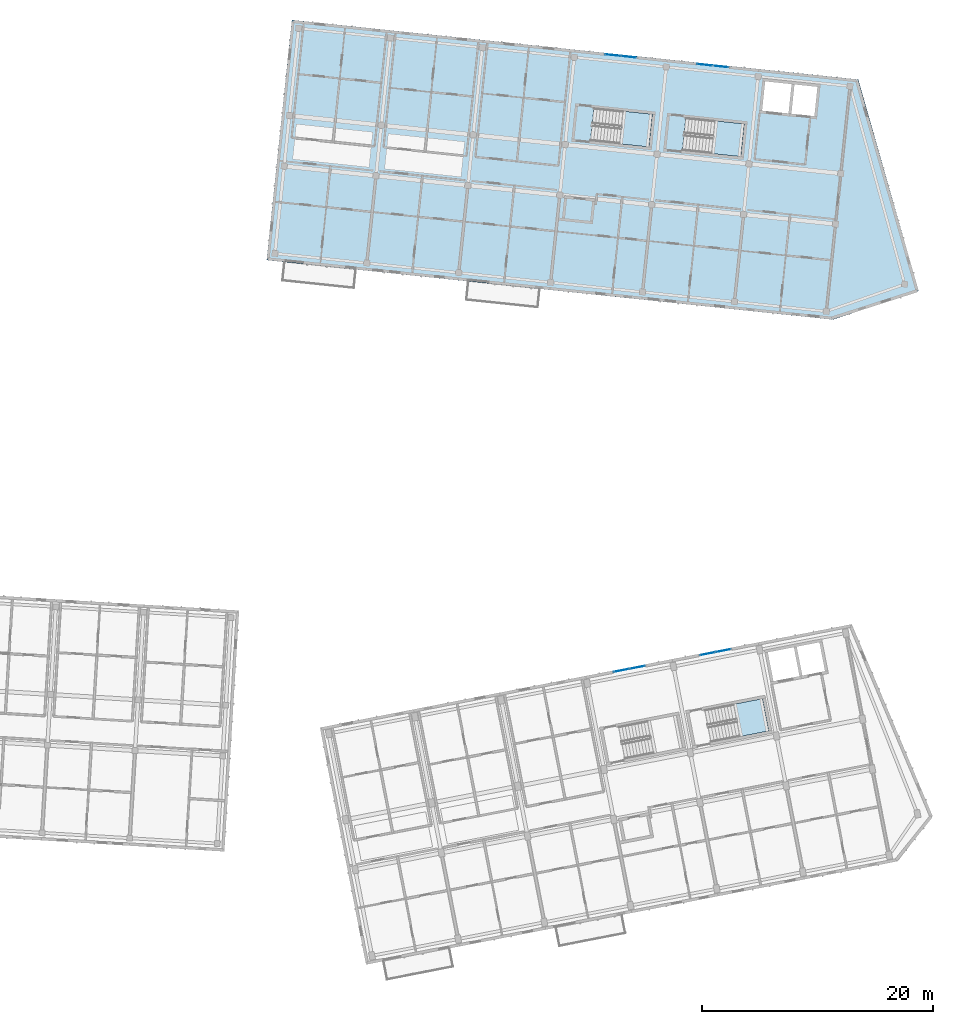
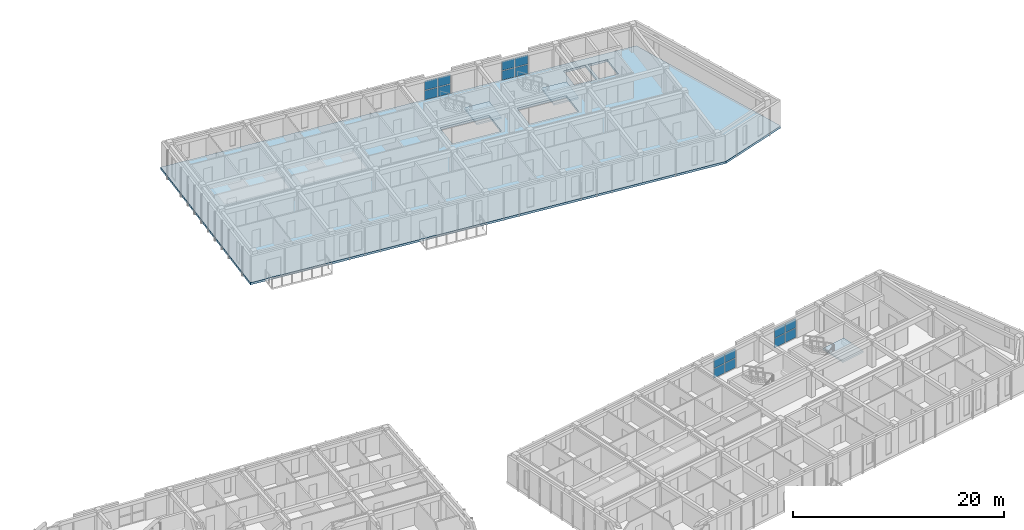
# One storey, part 19 of 66: 16 plates, 4 slabs, 7 elements without a shape of their own.
"""IFC4 building model written with IfcOpenShell, lengths in metres."""

from ifc_helpers import new_model, si_unit, direction, frame, origin, origin_2d, place, context, subcontext, project, spatial, polyline, rectangle, outline, extrude, material, layer, layer_set, type_object, element, aggregate, save


model = new_model("IFC4")

# Units and contexts
model_context = context("Model", 3, precision=1e-05, world=origin(), true_north=direction((0.0, 1.0)))
body_context = subcontext(model_context, "Body", "Model", "MODEL_VIEW")
ifc_project = project(units=[si_unit("LENGTHUNIT", "METRE"), si_unit("AREAUNIT", "SQUARE_METRE"), si_unit("VOLUMEUNIT", "CUBIC_METRE"), si_unit("PLANEANGLEUNIT", "RADIAN"), si_unit("MASSUNIT", "GRAM", prefix="KILO")], contexts=[model_context])

# Site, building, storey
site_placement = place(None, origin())
site = spatial("IfcSite", under=ifc_project, at=site_placement, CompositionType="ELEMENT")
building_placement = place(site_placement, origin())
building = spatial("IfcBuilding", under=site, at=building_placement, Name="Kestramere Prow Commons", CompositionType="ELEMENT")
storey_placement = place(building_placement, frame((0.0, 0.0, 14.89990234375)))
storey = spatial("IfcBuildingStorey", under=building, at=storey_placement, Name="L04", CompositionType="ELEMENT", Elevation=14.89990234375)

# Curtain wall, plates
ifc_material_1 = material(Name="Anodised Aluminium and Low-E Glass", Category="aluminium")
curtain_wall_type = type_object("IfcCurtainWallType", Name="CW-03 Glazed Curtain Wall 2830x2320", PredefinedType="USERDEFINED", material=ifc_material_1)
curtain_wall_1_placement = place(storey_placement, origin())
curtain_wall_1 = element("IfcCurtainWall", 1, at=curtain_wall_1_placement, inside=storey, type_object=curtain_wall_type, Name="Block B L04 Stairwell Vertical Glazing 4", ObjectType="GLAZED CURTAIN WALL", PredefinedType="USERDEFINED")
ifc_material_2 = material(Name="Low-E Laminated Double Glazing", Category="glass")
ifc_layer_1 = layer(ifc_material_2, 0.028076171875)
ifc_layer_set_1 = layer_set([ifc_layer_1], Name="Low-E Laminated Double Glazing")
plate_type = type_object("IfcPlateType", Name="CW-PNL-28", PredefinedType="CURTAIN_PANEL", material=ifc_layer_set_1)
plate_1_placement = place(storey_placement, frame((139.2626953125, 111.960205078125, 0.065185546875), z_axis=(0.0, 0.0, 1.0), x_axis=(0.994521879016, -0.104528618845, 0.0)))
plate_1 = element("IfcPlate", 2, at=plate_1_placement, type_object=plate_type, Name="CW-03 panel 1.1", PredefinedType="CURTAIN_PANEL", context=body_context, shape_type="SweptSolid", body=[
    extrude(rectangle(XDim=1.3173828125, YDim=0.028076171875, at=origin_2d()), origin(), (0.0, 0.0, 1.0), 1.0625),
])
plate_2_placement = place(storey_placement, frame((139.2626953125, 111.960205078125, 1.192626953125), z_axis=(0.0, 0.0, 1.0), x_axis=(0.994521879016, -0.104528618845, 0.0)))
plate_2 = element("IfcPlate", 3, at=plate_2_placement, type_object=plate_type, Name="CW-03 panel 1.2", PredefinedType="CURTAIN_PANEL", context=body_context, shape_type="SweptSolid", body=[
    extrude(rectangle(XDim=1.3173828125, YDim=0.028076171875, at=origin_2d()), origin(), (0.0, 0.0, 1.0), 1.0625),
])
plate_3_placement = place(storey_placement, frame((140.6376953125, 111.815673828125, 0.065185546875), z_axis=(0.0, 0.0, 1.0), x_axis=(0.994521879016, -0.104528618845, 0.0)))
plate_3 = element("IfcPlate", 4, at=plate_3_placement, type_object=plate_type, Name="CW-03 panel 2.1", PredefinedType="CURTAIN_PANEL", context=body_context, shape_type="SweptSolid", body=[
    extrude(rectangle(XDim=1.3173828125, YDim=0.028076171875, at=origin_2d()), origin(), (0.0, 0.0, 1.0), 1.0625),
])
plate_4_placement = place(storey_placement, frame((140.6376953125, 111.815673828125, 1.192626953125), z_axis=(0.0, 0.0, 1.0), x_axis=(0.994521879016, -0.104528618845, 0.0)))
plate_4 = element("IfcPlate", 5, at=plate_4_placement, type_object=plate_type, Name="CW-03 panel 2.2", PredefinedType="CURTAIN_PANEL", context=body_context, shape_type="SweptSolid", body=[
    extrude(rectangle(XDim=1.3173828125, YDim=0.028076171875, at=origin_2d()), origin(), (0.0, 0.0, 1.0), 1.0625),
])
aggregate(curtain_wall_1, [plate_1, plate_2, plate_3, plate_4])

curtain_wall_2_placement = place(storey_placement, origin())
curtain_wall_2 = element("IfcCurtainWall", 6, at=curtain_wall_2_placement, inside=storey, type_object=curtain_wall_type, Name="Block B L04 Stairwell Vertical Glazing 5", ObjectType="GLAZED CURTAIN WALL", PredefinedType="USERDEFINED")
plate_5_placement = place(storey_placement, frame((147.218994140625, 111.1240234375, 0.065185546875), z_axis=(0.0, 0.0, 1.0), x_axis=(0.99452191575, -0.104528269348, 0.0)))
plate_5 = element("IfcPlate", 7, at=plate_5_placement, type_object=plate_type, Name="CW-03 panel 1.1", PredefinedType="CURTAIN_PANEL", context=body_context, shape_type="SweptSolid", body=[
    extrude(rectangle(XDim=1.3173828125, YDim=0.028076171875, at=origin_2d()), origin(), (0.0, 0.0, 1.0), 1.0625),
])
plate_6_placement = place(storey_placement, frame((147.218994140625, 111.1240234375, 1.192626953125), z_axis=(0.0, 0.0, 1.0), x_axis=(0.99452191575, -0.104528269348, 0.0)))
plate_6 = element("IfcPlate", 8, at=plate_6_placement, type_object=plate_type, Name="CW-03 panel 1.2", PredefinedType="CURTAIN_PANEL", context=body_context, shape_type="SweptSolid", body=[
    extrude(rectangle(XDim=1.3173828125, YDim=0.028076171875, at=origin_2d()), origin(), (0.0, 0.0, 1.0), 1.0625),
])
plate_7_placement = place(storey_placement, frame((148.593994140625, 110.9794921875, 0.065185546875), z_axis=(0.0, 0.0, 1.0), x_axis=(0.99452191575, -0.104528269348, 0.0)))
plate_7 = element("IfcPlate", 9, at=plate_7_placement, type_object=plate_type, Name="CW-03 panel 2.1", PredefinedType="CURTAIN_PANEL", context=body_context, shape_type="SweptSolid", body=[
    extrude(rectangle(XDim=1.3173828125, YDim=0.028076171875, at=origin_2d()), origin(), (0.0, 0.0, 1.0), 1.0625),
])
plate_8_placement = place(storey_placement, frame((148.593994140625, 110.9794921875, 1.192626953125), z_axis=(0.0, 0.0, 1.0), x_axis=(0.99452191575, -0.104528269348, 0.0)))
plate_8 = element("IfcPlate", 10, at=plate_8_placement, type_object=plate_type, Name="CW-03 panel 2.2", PredefinedType="CURTAIN_PANEL", context=body_context, shape_type="SweptSolid", body=[
    extrude(rectangle(XDim=1.3173828125, YDim=0.028076171875, at=origin_2d()), origin(), (0.0, 0.0, 1.0), 1.0625),
])
aggregate(curtain_wall_2, [plate_5, plate_6, plate_7, plate_8])

curtain_wall_3_placement = place(storey_placement, origin())
curtain_wall_3 = element("IfcCurtainWall", 11, at=curtain_wall_3_placement, inside=storey, type_object=curtain_wall_type, Name="Block D L04 Stairwell Vertical Glazing 4", ObjectType="GLAZED CURTAIN WALL", PredefinedType="USERDEFINED")
plate_9_placement = place(storey_placement, frame((139.99267578125, 58.698974609375, 0.065185546875), z_axis=(0.0, 0.0, 1.0), x_axis=(0.981627214599, 0.190808835118, 0.0)))
plate_9 = element("IfcPlate", 12, at=plate_9_placement, type_object=plate_type, Name="CW-03 panel 1.1", PredefinedType="CURTAIN_PANEL", context=body_context, shape_type="SweptSolid", body=[
    extrude(rectangle(XDim=1.3173828125, YDim=0.028076171875, at=origin_2d()), origin(), (0.0, 0.0, 1.0), 1.0625),
])
plate_10_placement = place(storey_placement, frame((139.99267578125, 58.698974609375, 1.192626953125), z_axis=(0.0, 0.0, 1.0), x_axis=(0.981627214599, 0.190808835118, 0.0)))
plate_10 = element("IfcPlate", 13, at=plate_10_placement, type_object=plate_type, Name="CW-03 panel 1.2", PredefinedType="CURTAIN_PANEL", context=body_context, shape_type="SweptSolid", body=[
    extrude(rectangle(XDim=1.3173828125, YDim=0.028076171875, at=origin_2d()), origin(), (0.0, 0.0, 1.0), 1.0625),
])
plate_11_placement = place(storey_placement, frame((141.349853515625, 58.962646484375, 0.065185546875), z_axis=(0.0, 0.0, 1.0), x_axis=(0.981627214599, 0.190808835118, 0.0)))
plate_11 = element("IfcPlate", 14, at=plate_11_placement, type_object=plate_type, Name="CW-03 panel 2.1", PredefinedType="CURTAIN_PANEL", context=body_context, shape_type="SweptSolid", body=[
    extrude(rectangle(XDim=1.3173828125, YDim=0.028076171875, at=origin_2d()), origin(), (0.0, 0.0, 1.0), 1.0625),
])
plate_12_placement = place(storey_placement, frame((141.349853515625, 58.962646484375, 1.192626953125), z_axis=(0.0, 0.0, 1.0), x_axis=(0.981627214599, 0.190808835118, 0.0)))
plate_12 = element("IfcPlate", 15, at=plate_12_placement, type_object=plate_type, Name="CW-03 panel 2.2", PredefinedType="CURTAIN_PANEL", context=body_context, shape_type="SweptSolid", body=[
    extrude(rectangle(XDim=1.3173828125, YDim=0.028076171875, at=origin_2d()), origin(), (0.0, 0.0, 1.0), 1.0625),
])
aggregate(curtain_wall_3, [plate_9, plate_10, plate_11, plate_12])

curtain_wall_4_placement = place(storey_placement, origin())
curtain_wall_4 = element("IfcCurtainWall", 16, at=curtain_wall_4_placement, inside=storey, type_object=curtain_wall_type, Name="Block D L04 Stairwell Vertical Glazing 5", ObjectType="GLAZED CURTAIN WALL", PredefinedType="USERDEFINED")
plate_13_placement = place(storey_placement, frame((147.453125, 60.14892578125, 0.065185546875), z_axis=(0.0, 0.0, 1.0), x_axis=(0.981627214599, 0.190808835118, 0.0)))
plate_13 = element("IfcPlate", 17, at=plate_13_placement, type_object=plate_type, Name="CW-03 panel 1.1", PredefinedType="CURTAIN_PANEL", context=body_context, shape_type="SweptSolid", body=[
    extrude(rectangle(XDim=1.3173828125, YDim=0.028076171875, at=origin_2d()), origin(), (0.0, 0.0, 1.0), 1.0625),
])
plate_14_placement = place(storey_placement, frame((147.453125, 60.14892578125, 1.192626953125), z_axis=(0.0, 0.0, 1.0), x_axis=(0.981627214599, 0.190808835118, 0.0)))
plate_14 = element("IfcPlate", 18, at=plate_14_placement, type_object=plate_type, Name="CW-03 panel 1.2", PredefinedType="CURTAIN_PANEL", context=body_context, shape_type="SweptSolid", body=[
    extrude(rectangle(XDim=1.3173828125, YDim=0.028076171875, at=origin_2d()), origin(), (0.0, 0.0, 1.0), 1.0625),
])
plate_15_placement = place(storey_placement, frame((148.81005859375, 60.412841796875, 0.065185546875), z_axis=(0.0, 0.0, 1.0), x_axis=(0.981627214599, 0.190808835118, 0.0)))
plate_15 = element("IfcPlate", 19, at=plate_15_placement, type_object=plate_type, Name="CW-03 panel 2.1", PredefinedType="CURTAIN_PANEL", context=body_context, shape_type="SweptSolid", body=[
    extrude(rectangle(XDim=1.3173828125, YDim=0.028076171875, at=origin_2d()), origin(), (0.0, 0.0, 1.0), 1.0625),
])
plate_16_placement = place(storey_placement, frame((148.81005859375, 60.412841796875, 1.192626953125), z_axis=(0.0, 0.0, 1.0), x_axis=(0.981627214599, 0.190808835118, 0.0)))
plate_16 = element("IfcPlate", 20, at=plate_16_placement, type_object=plate_type, Name="CW-03 panel 2.2", PredefinedType="CURTAIN_PANEL", context=body_context, shape_type="SweptSolid", body=[
    extrude(rectangle(XDim=1.3173828125, YDim=0.028076171875, at=origin_2d()), origin(), (0.0, 0.0, 1.0), 1.0625),
])
aggregate(curtain_wall_4, [plate_13, plate_14, plate_15, plate_16])

# Slab
ifc_material_3 = material(Name="Precast concrete C40/50", Category="concrete")
ifc_layer_2 = layer(ifc_material_3, 0.25)
ifc_layer_set_2 = layer_set([ifc_layer_2], Name="Precast concrete C40/50")
slab_type_1 = type_object("IfcSlabType", Name="SL-HC-250", PredefinedType="FLOOR", material=ifc_layer_set_2)
slab_1_placement = place(storey_placement, frame((0.0, 0.0, -0.25)))
element("IfcSlab", 21, at=slab_1_placement, inside=storey, type_object=slab_type_1, Name="Block B L04 Hollowcore Floor Slab", PredefinedType="FLOOR", context=body_context, shape_type="SweptSolid", body=[
    extrude(outline(polyline([(109.28564453125, 94.221435546875), (158.3154296875, 89.068359375), (165.71630859375, 91.558349609375), (160.500244140625, 109.853759765625), (111.47021484375, 115.007080078125), (109.28564453125, 94.221435546875)]), holes=[polyline([(152.1728515625, 107.159423828125), (154.46044921875, 106.9189453125), (154.726806640625, 109.455078125), (152.439453125, 109.695556640625), (152.1728515625, 107.159423828125)]), polyline([(154.708984375, 106.892822265625), (156.697998046875, 106.683837890625), (156.964599609375, 109.219970703125), (154.9755859375, 109.428955078125), (154.708984375, 106.892822265625)]), polyline([(137.318603515625, 104.5478515625), (142.390625, 104.0146484375), (142.6884765625, 106.84912109375), (137.616455078125, 107.38232421875), (137.318603515625, 104.5478515625)]), polyline([(145.274658203125, 103.711669921875), (150.346923828125, 103.178466796875), (150.644775390625, 106.012939453125), (145.57275390625, 106.5458984375), (145.274658203125, 103.711669921875)])]), origin(), (0.0, 0.0, 1.0), 0.25),
])

# Stair, slab
ifc_material_4 = material(Name="Concrete C40/50", Category="concrete")
stair_type = type_object("IfcStairType", Name="ST-DOG-1350", PredefinedType="HALF_TURN_STAIR", material=ifc_material_4)
stair_1_placement = place(storey_placement, origin())
stair_1 = element("IfcStair", 22, at=stair_1_placement, inside=storey, type_object=stair_type, Name="L04 Block B Exit Stair 1", PredefinedType="HALF_TURN_STAIR")
ifc_layer_3 = layer(ifc_material_4, 0.199951171875)
ifc_layer_set_3 = layer_set([ifc_layer_3], Name="Concrete C40/50")
slab_type_2 = type_object("IfcSlabType", Name="SL-ST-LAND-200", PredefinedType="LANDING", material=ifc_layer_set_3)
slab_2_placement = place(storey_placement, frame((0.0, 0.0, 1.425048828125)))
slab_2 = element("IfcSlab", 23, at=slab_2_placement, type_object=slab_type_2, Name="ST-B1 landing 1", PredefinedType="LANDING", context=body_context, shape_type="SweptSolid", body=[
    extrude(outline(polyline([(139.82470703125, 104.284423828125), (142.390625, 104.0146484375), (142.6884765625, 106.84912109375), (140.122802734375, 107.118896484375), (139.82470703125, 104.284423828125)])), origin(), (0.0, 0.0, 1.0), 0.199951171875),
])
aggregate(stair_1, [slab_2])

stair_2_placement = place(storey_placement, origin())
stair_2 = element("IfcStair", 24, at=stair_2_placement, inside=storey, type_object=stair_type, Name="L04 Block B Exit Stair 2", PredefinedType="HALF_TURN_STAIR")
slab_3_placement = place(storey_placement, frame((0.0, 0.0, 1.425048828125)))
slab_3 = element("IfcSlab", 25, at=slab_3_placement, type_object=slab_type_2, Name="ST-B2 landing 1", PredefinedType="LANDING", context=body_context, shape_type="SweptSolid", body=[
    extrude(outline(polyline([(147.781005859375, 103.4482421875), (150.346923828125, 103.178466796875), (150.644775390625, 106.012939453125), (148.078857421875, 106.282470703125), (147.781005859375, 103.4482421875)])), origin(), (0.0, 0.0, 1.0), 0.199951171875),
])
aggregate(stair_2, [slab_3])

stair_3_placement = place(storey_placement, origin())
stair_3 = element("IfcStair", 26, at=stair_3_placement, inside=storey, type_object=stair_type, Name="L04 Block D Exit Stair 2", PredefinedType="HALF_TURN_STAIR")
slab_4_placement = place(storey_placement, frame((0.0, 0.0, 1.425048828125)))
slab_4 = element("IfcSlab", 27, at=slab_4_placement, type_object=slab_type_2, Name="ST-D2 landing 1", PredefinedType="LANDING", context=body_context, shape_type="SweptSolid", body=[
    extrude(outline(polyline([(150.234619140625, 52.972900390625), (152.767333984375, 53.46533203125), (152.223388671875, 56.262939453125), (149.69091796875, 55.7705078125), (150.234619140625, 52.972900390625)])), origin(), (0.0, 0.0, 1.0), 0.199951171875),
])
aggregate(stair_3, [slab_4])

save(model, "model.ifc")
